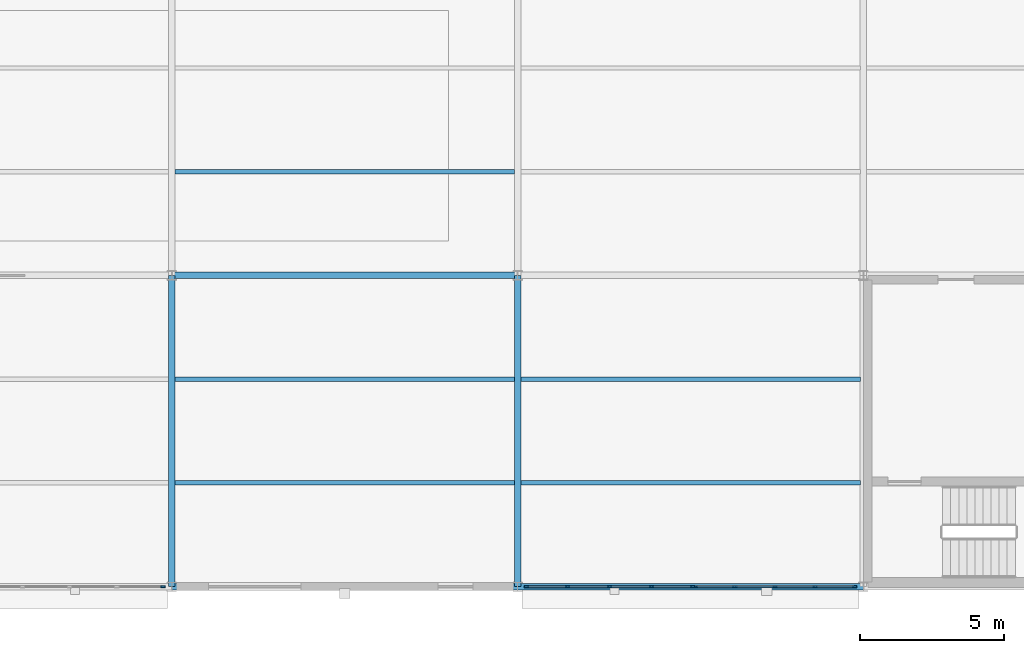
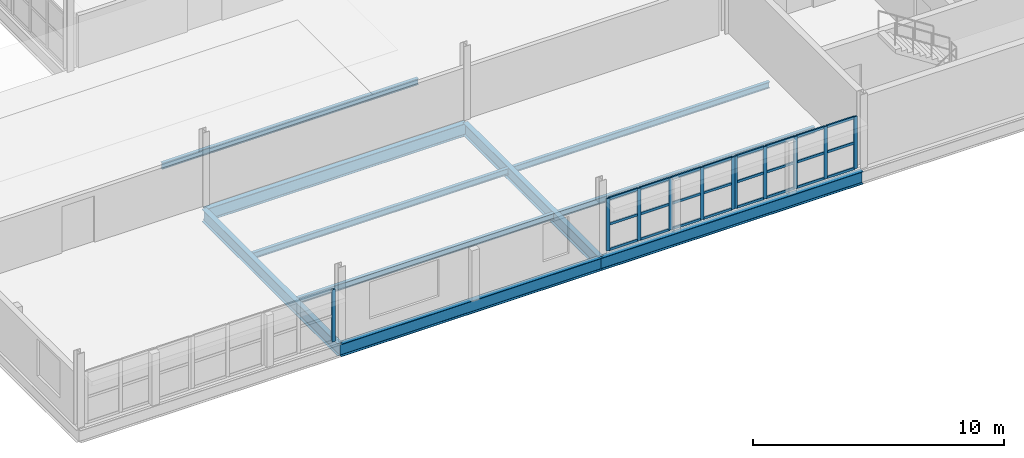
# One storey, part 35 of 79: 35 members, 10 beams, 3 elements without a shape of their own.
"""IFC4 building model written with IfcOpenShell, lengths in metres."""

from ifc_helpers import new_model, si_unit, direction, frame, origin, origin_2d, place, context, subcontext, project, spatial, rectangle, i_section, extrude, material, layer, layer_set, material_profile, profile_set, type_object, element, aggregate, save


model = new_model("IFC4")

# Units and contexts
model_context = context("Model", 3, precision=1e-05, world=origin(), true_north=direction((0.0, 1.0)))
body_context = subcontext(model_context, "Body", "Model", "MODEL_VIEW")
ifc_project = project(units=[si_unit("LENGTHUNIT", "METRE"), si_unit("AREAUNIT", "SQUARE_METRE"), si_unit("VOLUMEUNIT", "CUBIC_METRE"), si_unit("PLANEANGLEUNIT", "RADIAN"), si_unit("MASSUNIT", "GRAM", prefix="KILO"), si_unit("THERMODYNAMICTEMPERATUREUNIT", "KELVIN"), si_unit("POWERUNIT", "WATT")], contexts=[model_context])

# Site, building, storey
site_placement = place(None, origin())
site = spatial("IfcSite", under=ifc_project, at=site_placement, CompositionType="ELEMENT")
building_placement = place(site_placement, origin())
building = spatial("IfcBuilding", under=site, at=building_placement, Name="Tembeka Court Mobility Hub", CompositionType="ELEMENT")
storey_placement = place(building_placement, frame((0.0, 0.0, 9.0)))
storey = spatial("IfcBuildingStorey", under=building, at=storey_placement, Name="L02", CompositionType="ELEMENT", Elevation=9.0)

# Beams
ifc_material_1 = material(Name="Steel S355", Category="steel")
ifc_material_profile_1 = material_profile(ifc_material_1, i_section(OverallWidth=0.22900390625, OverallDepth=0.612060546875, WebThickness=0.011962890625, FlangeThickness=0.01953125, FilletRadius=0.0126953125, at=origin_2d()), Name="UKB 610x229x125")
ifc_profile_set_1 = profile_set([ifc_material_profile_1], Name="Steel S355")
beam_type_1 = type_object("IfcBeamType", Name="BM-G02", PredefinedType="USERDEFINED", material=ifc_profile_set_1)
for number, where, z_axis, x_axis, name in (
    (1, (128.39990234375, 0.0, -0.49609375), (1.0, 0.0, 0.0), (0.0, 1.0, 0.0), "Beam G02 (BM-L02-X1181)"),
    (2, (140.39990234375, 0.0, -0.49609375), (1.0, 0.0, 0.0), (0.0, 1.0, 0.0), "Beam G02 (BM-L02-X1182)"),
    (3, (128.39990234375, 10.800048828125, -0.49609375), (1.0, 0.0, 0.0), (0.0, 1.0, 0.0), "Beam G02 (BM-L02-X1189)"),
):
    element("IfcBeam", number, at=place(storey_placement, frame(where, z_axis=z_axis, x_axis=x_axis)), inside=storey, type_object=beam_type_1, Name=name, ObjectType="GIRDER", PredefinedType="USERDEFINED", context=body_context, shape_type="SweptSolid", body=[
        extrude(i_section(OverallWidth=0.22900390625, OverallDepth=0.612060546875, WebThickness=0.011962890625, FlangeThickness=0.01953125, FilletRadius=0.0126953125, at=origin_2d()), origin(), (0.0, 0.0, 1.0), 12.0),
    ])
for number, where, z_axis, x_axis, name in (
    (4, (128.39990234375, 0.0, -0.49609375), (0.0, 1.0, 0.0), (-1.0, 0.0, 0.0), "Beam G02 (BM-L02-Y1415)"),
    (5, (140.39990234375, 0.0, -0.49609375), (0.0, 1.0, 0.0), (-1.0, 0.0, 0.0), "Beam G02 (BM-L02-Y1419)"),
):
    element("IfcBeam", number, at=place(storey_placement, frame(where, z_axis=z_axis, x_axis=x_axis)), inside=storey, type_object=beam_type_1, Name=name, ObjectType="GIRDER", PredefinedType="USERDEFINED", context=body_context, shape_type="SweptSolid", body=[
        extrude(i_section(OverallWidth=0.22900390625, OverallDepth=0.612060546875, WebThickness=0.011962890625, FlangeThickness=0.01953125, FilletRadius=0.0126953125, at=origin_2d()), origin(), (0.0, 0.0, 1.0), 10.800048828125),
    ])
ifc_material_profile_2 = material_profile(ifc_material_1, i_section(OverallWidth=0.14990234375, OverallDepth=0.300048828125, WebThickness=0.007080078125, FlangeThickness=0.0107421875, FilletRadius=0.014892578125, at=origin_2d()), Name="IPE 300")
ifc_profile_set_2 = profile_set([ifc_material_profile_2], Name="Steel S355")
beam_type_2 = type_object("IfcBeamType", Name="BM-J04", PredefinedType="JOIST", material=ifc_profile_set_2)
for number, where, z_axis, x_axis, name in (
    (6, (128.509521484375, 3.60009765625, -0.340087890625), (1.0, 0.0, 0.0), (0.0, 1.0, 0.0), "Beam J04 (JST-L02-1639)"),
    (7, (128.509521484375, 7.199951171875, -0.340087890625), (1.0, 0.0, 0.0), (0.0, 1.0, 0.0), "Beam J04 (JST-L02-1640)"),
    (8, (128.509521484375, 14.39990234375, -0.340087890625), (1.0, 0.0, 0.0), (0.0, 1.0, 0.0), "Beam J04 (JST-L02-1641)"),
    (9, (140.509521484375, 3.60009765625, -0.340087890625), (1.0, 0.0, 0.0), (0.0, 1.0, 0.0), "Beam J04 (JST-L02-1649)"),
    (10, (140.509521484375, 7.199951171875, -0.340087890625), (1.0, 0.0, 0.0), (0.0, 1.0, 0.0), "Beam J04 (JST-L02-1650)"),
):
    element("IfcBeam", number, at=place(storey_placement, frame(where, z_axis=z_axis, x_axis=x_axis)), inside=storey, type_object=beam_type_2, Name=name, PredefinedType="JOIST", context=body_context, shape_type="SweptSolid", body=[
        extrude(i_section(OverallWidth=0.14990234375, OverallDepth=0.300048828125, WebThickness=0.007080078125, FlangeThickness=0.0107421875, FilletRadius=0.014892578125, at=origin_2d()), origin(), (0.0, 0.0, 1.0), 11.781005859375),
    ])

# Curtain wall, member
ifc_material_2 = material(Name="Anodised aluminium 6063-T6", Category="aluminium")
ifc_layer_1 = layer(ifc_material_2, 0.159912109375)
ifc_layer_set_1 = layer_set([ifc_layer_1], Name="Anodised aluminium 6063-T6")
curtain_wall_type_1 = type_object("IfcCurtainWallType", Name="CW-SYS48", PredefinedType="USERDEFINED", material=ifc_layer_set_1)
curtain_wall_1_placement = place(storey_placement, origin())
curtain_wall_1 = element("IfcCurtainWall", 11, at=curtain_wall_1_placement, inside=storey, type_object=curtain_wall_type_1, Name="Unitised curtain wall CW48 (CW-L02-119)", ObjectType="UNITISED GLAZING", PredefinedType="USERDEFINED")
ifc_material_profile_3 = material_profile(ifc_material_2, rectangle(XDim=0.06494140625, YDim=0.159912109375, at=origin_2d()), Name="ALU-MUL 65x160")
ifc_profile_set_3 = profile_set([ifc_material_profile_3], Name="Anodised aluminium 6063-T6")
member_type_1 = type_object("IfcMemberType", Name="CW-MUL01", PredefinedType="MULLION", material=ifc_profile_set_3)
member_1_placement = place(storey_placement, frame((128.08740234375, 0.0, 0.0), z_axis=(0.0, 0.0, 1.0), x_axis=(0.0, 1.0, 0.0)))
member_1 = element("IfcMember", 12, at=member_1_placement, type_object=member_type_1, Name="CW48 mullion 5", PredefinedType="MULLION", context=body_context, shape_type="SweptSolid", body=[
    extrude(rectangle(XDim=0.06494140625, YDim=0.159912109375, at=origin_2d()), origin(), (0.0, 0.0, 1.0), 2.534912109375),
])
aggregate(curtain_wall_1, [member_1])

# Curtain wall, members
ifc_layer_2 = layer(ifc_material_2, 0.159912109375)
ifc_layer_set_2 = layer_set([ifc_layer_2], Name="Anodised aluminium 6063-T6")
curtain_wall_type_2 = type_object("IfcCurtainWallType", Name="CW-SYS49", PredefinedType="USERDEFINED", material=ifc_layer_set_2)
curtain_wall_2_placement = place(storey_placement, origin())
curtain_wall_2 = element("IfcCurtainWall", 13, at=curtain_wall_2_placement, inside=storey, type_object=curtain_wall_type_2, Name="Unitised curtain wall CW49 (CW-L02-120)", ObjectType="UNITISED GLAZING", PredefinedType="USERDEFINED")
member_2_placement = place(storey_placement, frame((140.71240234375, 0.0, 0.0), z_axis=(0.0, 0.0, 1.0), x_axis=(0.0, 1.0, 0.0)))
member_2 = element("IfcMember", 14, at=member_2_placement, type_object=member_type_1, Name="CW49 mullion 1", PredefinedType="MULLION", context=body_context, shape_type="SweptSolid", body=[
    extrude(rectangle(XDim=0.06494140625, YDim=0.159912109375, at=origin_2d()), origin(), (0.0, 0.0, 1.0), 2.534912109375),
])
member_3_placement = place(storey_placement, frame((142.135009765625, 0.0, 0.0), z_axis=(0.0, 0.0, 1.0), x_axis=(0.0, 1.0, 0.0)))
member_3 = element("IfcMember", 15, at=member_3_placement, type_object=member_type_1, Name="CW49 mullion 2", PredefinedType="MULLION", context=body_context, shape_type="SweptSolid", body=[
    extrude(rectangle(XDim=0.06494140625, YDim=0.159912109375, at=origin_2d()), origin(), (0.0, 0.0, 1.0), 2.534912109375),
])
member_4_placement = place(storey_placement, frame((143.590087890625, 0.0, 0.0), z_axis=(0.0, 0.0, 1.0), x_axis=(0.0, 1.0, 0.0)))
member_4 = element("IfcMember", 16, at=member_4_placement, type_object=member_type_1, Name="CW49 mullion 3", PredefinedType="MULLION", context=body_context, shape_type="SweptSolid", body=[
    extrude(rectangle(XDim=0.06494140625, YDim=0.159912109375, at=origin_2d()), origin(), (0.0, 0.0, 1.0), 2.534912109375),
])
member_5_placement = place(storey_placement, frame((145.044921875, 0.0, 0.0), z_axis=(0.0, 0.0, 1.0), x_axis=(0.0, 1.0, 0.0)))
member_5 = element("IfcMember", 17, at=member_5_placement, type_object=member_type_1, Name="CW49 mullion 4", PredefinedType="MULLION", context=body_context, shape_type="SweptSolid", body=[
    extrude(rectangle(XDim=0.06494140625, YDim=0.159912109375, at=origin_2d()), origin(), (0.0, 0.0, 1.0), 2.534912109375),
])
member_6_placement = place(storey_placement, frame((146.467529296875, 0.0, 0.0), z_axis=(0.0, 0.0, 1.0), x_axis=(0.0, 1.0, 0.0)))
member_6 = element("IfcMember", 18, at=member_6_placement, type_object=member_type_1, Name="CW49 mullion 5", PredefinedType="MULLION", context=body_context, shape_type="SweptSolid", body=[
    extrude(rectangle(XDim=0.06494140625, YDim=0.159912109375, at=origin_2d()), origin(), (0.0, 0.0, 1.0), 2.534912109375),
])

ifc_layer_3 = layer(ifc_material_2, 0.159912109375)
ifc_layer_set_3 = layer_set([ifc_layer_3], Name="Anodised aluminium 6063-T6")
curtain_wall_type_3 = type_object("IfcCurtainWallType", Name="CW-SYS50", PredefinedType="USERDEFINED", material=ifc_layer_set_3)
curtain_wall_3_placement = place(storey_placement, origin())
curtain_wall_3 = element("IfcCurtainWall", 19, at=curtain_wall_3_placement, inside=storey, type_object=curtain_wall_type_3, Name="Unitised curtain wall CW50 (CW-L02-121)", ObjectType="UNITISED GLAZING", PredefinedType="USERDEFINED")
member_7_placement = place(storey_placement, frame((146.572509765625, 0.0, 0.0), z_axis=(0.0, 0.0, 1.0), x_axis=(0.0, 1.0, 0.0)))
member_7 = element("IfcMember", 20, at=member_7_placement, type_object=member_type_1, Name="CW50 mullion 1", PredefinedType="MULLION", context=body_context, shape_type="SweptSolid", body=[
    extrude(rectangle(XDim=0.06494140625, YDim=0.159912109375, at=origin_2d()), origin(), (0.0, 0.0, 1.0), 2.534912109375),
])
member_8_placement = place(storey_placement, frame((147.93505859375, 0.0, 0.0), z_axis=(0.0, 0.0, 1.0), x_axis=(0.0, 1.0, 0.0)))
member_8 = element("IfcMember", 21, at=member_8_placement, type_object=member_type_1, Name="CW50 mullion 2", PredefinedType="MULLION", context=body_context, shape_type="SweptSolid", body=[
    extrude(rectangle(XDim=0.06494140625, YDim=0.159912109375, at=origin_2d()), origin(), (0.0, 0.0, 1.0), 2.534912109375),
])
member_9_placement = place(storey_placement, frame((149.330078125, 0.0, 0.0), z_axis=(0.0, 0.0, 1.0), x_axis=(0.0, 1.0, 0.0)))
member_9 = element("IfcMember", 22, at=member_9_placement, type_object=member_type_1, Name="CW50 mullion 3", PredefinedType="MULLION", context=body_context, shape_type="SweptSolid", body=[
    extrude(rectangle(XDim=0.06494140625, YDim=0.159912109375, at=origin_2d()), origin(), (0.0, 0.0, 1.0), 2.534912109375),
])
member_10_placement = place(storey_placement, frame((150.72509765625, 0.0, 0.0), z_axis=(0.0, 0.0, 1.0), x_axis=(0.0, 1.0, 0.0)))
member_10 = element("IfcMember", 23, at=member_10_placement, type_object=member_type_1, Name="CW50 mullion 4", PredefinedType="MULLION", context=body_context, shape_type="SweptSolid", body=[
    extrude(rectangle(XDim=0.06494140625, YDim=0.159912109375, at=origin_2d()), origin(), (0.0, 0.0, 1.0), 2.534912109375),
])
member_11_placement = place(storey_placement, frame((152.08740234375, 0.0, 0.0), z_axis=(0.0, 0.0, 1.0), x_axis=(0.0, 1.0, 0.0)))
member_11 = element("IfcMember", 24, at=member_11_placement, type_object=member_type_1, Name="CW50 mullion 5", PredefinedType="MULLION", context=body_context, shape_type="SweptSolid", body=[
    extrude(rectangle(XDim=0.06494140625, YDim=0.159912109375, at=origin_2d()), origin(), (0.0, 0.0, 1.0), 2.534912109375),
])

# Member
ifc_material_profile_4 = material_profile(ifc_material_2, rectangle(XDim=0.06494140625, YDim=0.1201171875, at=origin_2d()), Name="ALU-TRN 65x120")
ifc_profile_set_4 = profile_set([ifc_material_profile_4], Name="Anodised aluminium 6063-T6")
member_type_2 = type_object("IfcMemberType", Name="CW-TRN01", PredefinedType="USERDEFINED", material=ifc_profile_set_4)
member_12_placement = place(storey_placement, frame((140.7451171875, 0.0, 0.032470703125), z_axis=(1.0, 0.0, 0.0), x_axis=(0.0, 1.0, 0.0)))
member_12 = element("IfcMember", 25, at=member_12_placement, type_object=member_type_2, Name="CW49 transom 1.1", ObjectType="TRANSOM", PredefinedType="USERDEFINED", context=body_context, shape_type="SweptSolid", body=[
    extrude(rectangle(XDim=0.06494140625, YDim=0.1201171875, at=origin_2d()), origin(), (0.0, 0.0, 1.0), 1.357421875),
])

member_13_placement = place(storey_placement, frame((140.7451171875, 0.0, 1.267578125), z_axis=(1.0, 0.0, 0.0), x_axis=(0.0, 1.0, 0.0)))
member_13 = element("IfcMember", 26, at=member_13_placement, type_object=member_type_2, Name="CW49 transom 1.2", ObjectType="TRANSOM", PredefinedType="USERDEFINED", context=body_context, shape_type="SweptSolid", body=[
    extrude(rectangle(XDim=0.06494140625, YDim=0.1201171875, at=origin_2d()), origin(), (0.0, 0.0, 1.0), 1.357421875),
])

member_14_placement = place(storey_placement, frame((140.7451171875, 0.0, 2.50244140625), z_axis=(1.0, 0.0, 0.0), x_axis=(0.0, 1.0, 0.0)))
member_14 = element("IfcMember", 27, at=member_14_placement, type_object=member_type_2, Name="CW49 transom 1.3", ObjectType="TRANSOM", PredefinedType="USERDEFINED", context=body_context, shape_type="SweptSolid", body=[
    extrude(rectangle(XDim=0.06494140625, YDim=0.1201171875, at=origin_2d()), origin(), (0.0, 0.0, 1.0), 1.357421875),
])

member_15_placement = place(storey_placement, frame((142.16748046875, 0.0, 0.032470703125), z_axis=(1.0, 0.0, 0.0), x_axis=(0.0, 1.0, 0.0)))
member_15 = element("IfcMember", 28, at=member_15_placement, type_object=member_type_2, Name="CW49 transom 2.1", ObjectType="TRANSOM", PredefinedType="USERDEFINED", context=body_context, shape_type="SweptSolid", body=[
    extrude(rectangle(XDim=0.06494140625, YDim=0.1201171875, at=origin_2d()), origin(), (0.0, 0.0, 1.0), 1.39013671875),
])

member_16_placement = place(storey_placement, frame((142.16748046875, 0.0, 1.267578125), z_axis=(1.0, 0.0, 0.0), x_axis=(0.0, 1.0, 0.0)))
member_16 = element("IfcMember", 29, at=member_16_placement, type_object=member_type_2, Name="CW49 transom 2.2", ObjectType="TRANSOM", PredefinedType="USERDEFINED", context=body_context, shape_type="SweptSolid", body=[
    extrude(rectangle(XDim=0.06494140625, YDim=0.1201171875, at=origin_2d()), origin(), (0.0, 0.0, 1.0), 1.39013671875),
])

member_17_placement = place(storey_placement, frame((142.16748046875, 0.0, 2.50244140625), z_axis=(1.0, 0.0, 0.0), x_axis=(0.0, 1.0, 0.0)))
member_17 = element("IfcMember", 30, at=member_17_placement, type_object=member_type_2, Name="CW49 transom 2.3", ObjectType="TRANSOM", PredefinedType="USERDEFINED", context=body_context, shape_type="SweptSolid", body=[
    extrude(rectangle(XDim=0.06494140625, YDim=0.1201171875, at=origin_2d()), origin(), (0.0, 0.0, 1.0), 1.39013671875),
])

member_18_placement = place(storey_placement, frame((143.62255859375, 0.0, 0.032470703125), z_axis=(1.0, 0.0, 0.0), x_axis=(0.0, 1.0, 0.0)))
member_18 = element("IfcMember", 31, at=member_18_placement, type_object=member_type_2, Name="CW49 transom 3.1", ObjectType="TRANSOM", PredefinedType="USERDEFINED", context=body_context, shape_type="SweptSolid", body=[
    extrude(rectangle(XDim=0.06494140625, YDim=0.1201171875, at=origin_2d()), origin(), (0.0, 0.0, 1.0), 1.389892578125),
])

member_19_placement = place(storey_placement, frame((143.62255859375, 0.0, 1.267578125), z_axis=(1.0, 0.0, 0.0), x_axis=(0.0, 1.0, 0.0)))
member_19 = element("IfcMember", 32, at=member_19_placement, type_object=member_type_2, Name="CW49 transom 3.2", ObjectType="TRANSOM", PredefinedType="USERDEFINED", context=body_context, shape_type="SweptSolid", body=[
    extrude(rectangle(XDim=0.06494140625, YDim=0.1201171875, at=origin_2d()), origin(), (0.0, 0.0, 1.0), 1.389892578125),
])

member_20_placement = place(storey_placement, frame((143.62255859375, 0.0, 2.50244140625), z_axis=(1.0, 0.0, 0.0), x_axis=(0.0, 1.0, 0.0)))
member_20 = element("IfcMember", 33, at=member_20_placement, type_object=member_type_2, Name="CW49 transom 3.3", ObjectType="TRANSOM", PredefinedType="USERDEFINED", context=body_context, shape_type="SweptSolid", body=[
    extrude(rectangle(XDim=0.06494140625, YDim=0.1201171875, at=origin_2d()), origin(), (0.0, 0.0, 1.0), 1.389892578125),
])

member_21_placement = place(storey_placement, frame((145.077392578125, 0.0, 0.032470703125), z_axis=(1.0, 0.0, 0.0), x_axis=(0.0, 1.0, 0.0)))
member_21 = element("IfcMember", 34, at=member_21_placement, type_object=member_type_2, Name="CW49 transom 4.1", ObjectType="TRANSOM", PredefinedType="USERDEFINED", context=body_context, shape_type="SweptSolid", body=[
    extrude(rectangle(XDim=0.06494140625, YDim=0.1201171875, at=origin_2d()), origin(), (0.0, 0.0, 1.0), 1.357666015625),
])

member_22_placement = place(storey_placement, frame((145.077392578125, 0.0, 1.267578125), z_axis=(1.0, 0.0, 0.0), x_axis=(0.0, 1.0, 0.0)))
member_22 = element("IfcMember", 35, at=member_22_placement, type_object=member_type_2, Name="CW49 transom 4.2", ObjectType="TRANSOM", PredefinedType="USERDEFINED", context=body_context, shape_type="SweptSolid", body=[
    extrude(rectangle(XDim=0.06494140625, YDim=0.1201171875, at=origin_2d()), origin(), (0.0, 0.0, 1.0), 1.357666015625),
])

member_23_placement = place(storey_placement, frame((145.077392578125, 0.0, 2.50244140625), z_axis=(1.0, 0.0, 0.0), x_axis=(0.0, 1.0, 0.0)))
member_23 = element("IfcMember", 36, at=member_23_placement, type_object=member_type_2, Name="CW49 transom 4.3", ObjectType="TRANSOM", PredefinedType="USERDEFINED", context=body_context, shape_type="SweptSolid", body=[
    extrude(rectangle(XDim=0.06494140625, YDim=0.1201171875, at=origin_2d()), origin(), (0.0, 0.0, 1.0), 1.357666015625),
])

aggregate(curtain_wall_2, [member_2, member_3, member_4, member_5, member_6, member_12, member_13, member_14, member_15, member_16, member_17, member_18, member_19, member_20, member_21, member_22, member_23])

member_24_placement = place(storey_placement, frame((146.60498046875, 0.0, 0.032470703125), z_axis=(1.0, 0.0, 0.0), x_axis=(0.0, 1.0, 0.0)))
member_24 = element("IfcMember", 37, at=member_24_placement, type_object=member_type_2, Name="CW50 transom 1.1", ObjectType="TRANSOM", PredefinedType="USERDEFINED", context=body_context, shape_type="SweptSolid", body=[
    extrude(rectangle(XDim=0.06494140625, YDim=0.1201171875, at=origin_2d()), origin(), (0.0, 0.0, 1.0), 1.297607421875),
])

member_25_placement = place(storey_placement, frame((146.60498046875, 0.0, 1.267578125), z_axis=(1.0, 0.0, 0.0), x_axis=(0.0, 1.0, 0.0)))
member_25 = element("IfcMember", 38, at=member_25_placement, type_object=member_type_2, Name="CW50 transom 1.2", ObjectType="TRANSOM", PredefinedType="USERDEFINED", context=body_context, shape_type="SweptSolid", body=[
    extrude(rectangle(XDim=0.06494140625, YDim=0.1201171875, at=origin_2d()), origin(), (0.0, 0.0, 1.0), 1.297607421875),
])

member_26_placement = place(storey_placement, frame((146.60498046875, 0.0, 2.50244140625), z_axis=(1.0, 0.0, 0.0), x_axis=(0.0, 1.0, 0.0)))
member_26 = element("IfcMember", 39, at=member_26_placement, type_object=member_type_2, Name="CW50 transom 1.3", ObjectType="TRANSOM", PredefinedType="USERDEFINED", context=body_context, shape_type="SweptSolid", body=[
    extrude(rectangle(XDim=0.06494140625, YDim=0.1201171875, at=origin_2d()), origin(), (0.0, 0.0, 1.0), 1.297607421875),
])

member_27_placement = place(storey_placement, frame((147.967529296875, 0.0, 0.032470703125), z_axis=(1.0, 0.0, 0.0), x_axis=(0.0, 1.0, 0.0)))
member_27 = element("IfcMember", 40, at=member_27_placement, type_object=member_type_2, Name="CW50 transom 2.1", ObjectType="TRANSOM", PredefinedType="USERDEFINED", context=body_context, shape_type="SweptSolid", body=[
    extrude(rectangle(XDim=0.06494140625, YDim=0.1201171875, at=origin_2d()), origin(), (0.0, 0.0, 1.0), 1.330078125),
])

member_28_placement = place(storey_placement, frame((147.967529296875, 0.0, 1.267578125), z_axis=(1.0, 0.0, 0.0), x_axis=(0.0, 1.0, 0.0)))
member_28 = element("IfcMember", 41, at=member_28_placement, type_object=member_type_2, Name="CW50 transom 2.2", ObjectType="TRANSOM", PredefinedType="USERDEFINED", context=body_context, shape_type="SweptSolid", body=[
    extrude(rectangle(XDim=0.06494140625, YDim=0.1201171875, at=origin_2d()), origin(), (0.0, 0.0, 1.0), 1.330078125),
])

member_29_placement = place(storey_placement, frame((147.967529296875, 0.0, 2.50244140625), z_axis=(1.0, 0.0, 0.0), x_axis=(0.0, 1.0, 0.0)))
member_29 = element("IfcMember", 42, at=member_29_placement, type_object=member_type_2, Name="CW50 transom 2.3", ObjectType="TRANSOM", PredefinedType="USERDEFINED", context=body_context, shape_type="SweptSolid", body=[
    extrude(rectangle(XDim=0.06494140625, YDim=0.1201171875, at=origin_2d()), origin(), (0.0, 0.0, 1.0), 1.330078125),
])

member_30_placement = place(storey_placement, frame((149.362548828125, 0.0, 0.032470703125), z_axis=(1.0, 0.0, 0.0), x_axis=(0.0, 1.0, 0.0)))
member_30 = element("IfcMember", 43, at=member_30_placement, type_object=member_type_2, Name="CW50 transom 3.1", ObjectType="TRANSOM", PredefinedType="USERDEFINED", context=body_context, shape_type="SweptSolid", body=[
    extrude(rectangle(XDim=0.06494140625, YDim=0.1201171875, at=origin_2d()), origin(), (0.0, 0.0, 1.0), 1.329833984375),
])

member_31_placement = place(storey_placement, frame((149.362548828125, 0.0, 1.267578125), z_axis=(1.0, 0.0, 0.0), x_axis=(0.0, 1.0, 0.0)))
member_31 = element("IfcMember", 44, at=member_31_placement, type_object=member_type_2, Name="CW50 transom 3.2", ObjectType="TRANSOM", PredefinedType="USERDEFINED", context=body_context, shape_type="SweptSolid", body=[
    extrude(rectangle(XDim=0.06494140625, YDim=0.1201171875, at=origin_2d()), origin(), (0.0, 0.0, 1.0), 1.329833984375),
])

member_32_placement = place(storey_placement, frame((149.362548828125, 0.0, 2.50244140625), z_axis=(1.0, 0.0, 0.0), x_axis=(0.0, 1.0, 0.0)))
member_32 = element("IfcMember", 45, at=member_32_placement, type_object=member_type_2, Name="CW50 transom 3.3", ObjectType="TRANSOM", PredefinedType="USERDEFINED", context=body_context, shape_type="SweptSolid", body=[
    extrude(rectangle(XDim=0.06494140625, YDim=0.1201171875, at=origin_2d()), origin(), (0.0, 0.0, 1.0), 1.329833984375),
])

member_33_placement = place(storey_placement, frame((150.757568359375, 0.0, 0.032470703125), z_axis=(1.0, 0.0, 0.0), x_axis=(0.0, 1.0, 0.0)))
member_33 = element("IfcMember", 46, at=member_33_placement, type_object=member_type_2, Name="CW50 transom 4.1", ObjectType="TRANSOM", PredefinedType="USERDEFINED", context=body_context, shape_type="SweptSolid", body=[
    extrude(rectangle(XDim=0.06494140625, YDim=0.1201171875, at=origin_2d()), origin(), (0.0, 0.0, 1.0), 1.29736328125),
])

member_34_placement = place(storey_placement, frame((150.757568359375, 0.0, 1.267578125), z_axis=(1.0, 0.0, 0.0), x_axis=(0.0, 1.0, 0.0)))
member_34 = element("IfcMember", 47, at=member_34_placement, type_object=member_type_2, Name="CW50 transom 4.2", ObjectType="TRANSOM", PredefinedType="USERDEFINED", context=body_context, shape_type="SweptSolid", body=[
    extrude(rectangle(XDim=0.06494140625, YDim=0.1201171875, at=origin_2d()), origin(), (0.0, 0.0, 1.0), 1.29736328125),
])

member_35_placement = place(storey_placement, frame((150.757568359375, 0.0, 2.50244140625), z_axis=(1.0, 0.0, 0.0), x_axis=(0.0, 1.0, 0.0)))
member_35 = element("IfcMember", 48, at=member_35_placement, type_object=member_type_2, Name="CW50 transom 4.3", ObjectType="TRANSOM", PredefinedType="USERDEFINED", context=body_context, shape_type="SweptSolid", body=[
    extrude(rectangle(XDim=0.06494140625, YDim=0.1201171875, at=origin_2d()), origin(), (0.0, 0.0, 1.0), 1.29736328125),
])

aggregate(curtain_wall_3, [member_7, member_8, member_9, member_10, member_11, member_24, member_25, member_26, member_27, member_28, member_29, member_30, member_31, member_32, member_33, member_34, member_35])

save(model, "model.ifc")
